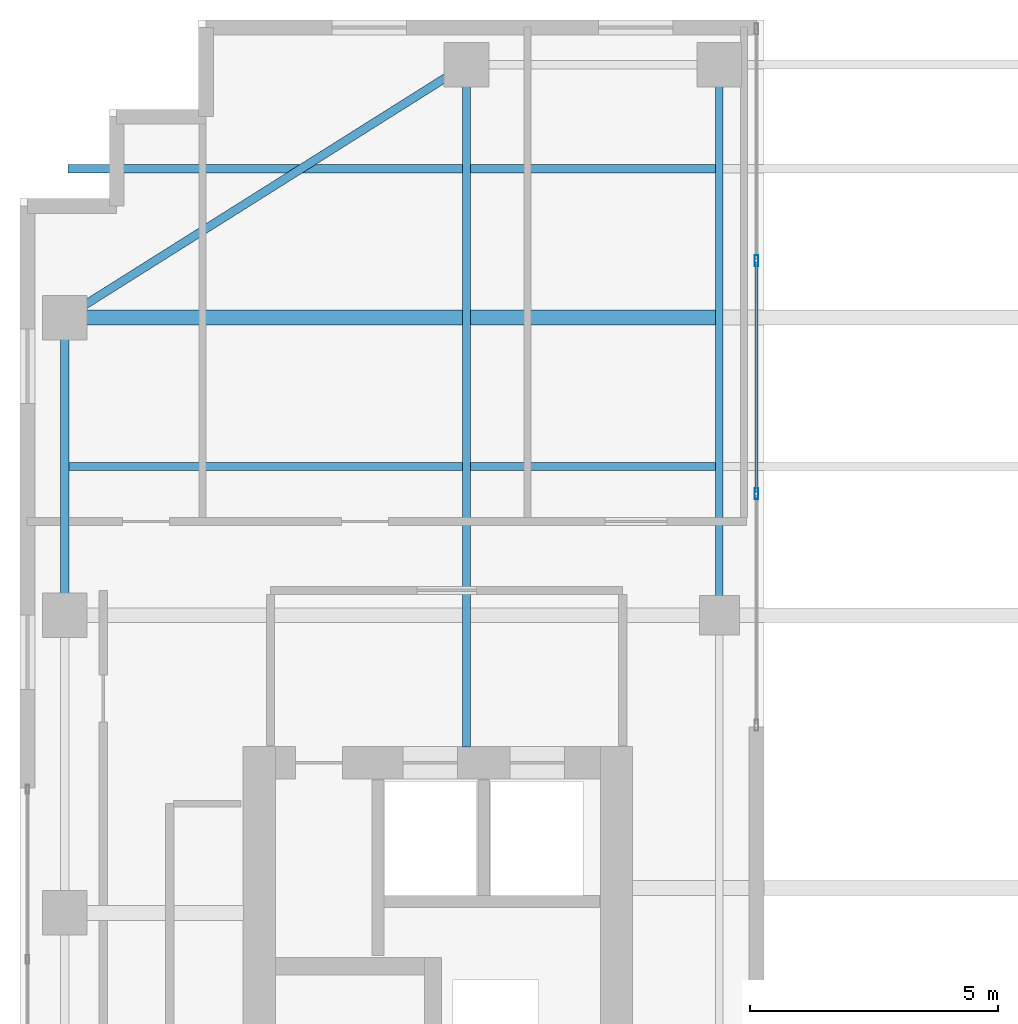
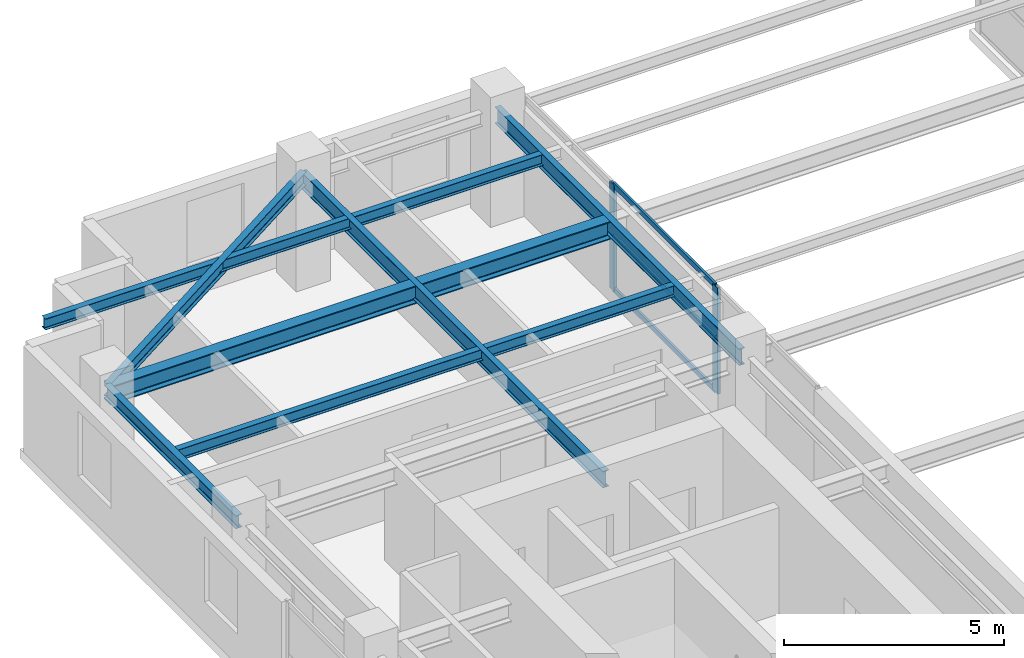
# One storey, part 13 of 21: 7 beams, 5 members, 1 element without a shape of its own.
"""IFC4 building model written with IfcOpenShell, lengths in metres."""

from ifc_helpers import new_model, si_unit, direction, frame, origin, origin_2d, place, context, subcontext, project, spatial, hollow_rectangle, i_section, extrude, source, transform, mapped, material, layer, layer_set, material_profile, profile_set, type_object, element, aggregate, save


model = new_model("IFC4")

# Units and contexts
model_context = context("Model", 3, precision=1e-05, world=origin(), true_north=direction((0.0, 1.0)))
body_context = subcontext(model_context, "Body", "Model", "MODEL_VIEW")
ifc_project = project(units=[si_unit("LENGTHUNIT", "METRE"), si_unit("AREAUNIT", "SQUARE_METRE"), si_unit("VOLUMEUNIT", "CUBIC_METRE"), si_unit("PLANEANGLEUNIT", "RADIAN"), si_unit("MASSUNIT", "GRAM", prefix="KILO")], contexts=[model_context])

# Site, building, storey
site_placement = place(None, origin())
site = spatial("IfcSite", under=ifc_project, at=site_placement, CompositionType="ELEMENT")
building_placement = place(site_placement, origin())
building = spatial("IfcBuilding", under=site, at=building_placement, Name="Khoralis Quay Care Tower", CompositionType="ELEMENT")
storey_placement = place(building_placement, frame((0.0, 0.0, 213.300048828125)))
storey = spatial("IfcBuildingStorey", under=building, at=storey_placement, Name="L56", CompositionType="ELEMENT", Elevation=213.300048828125)

# Beams
ifc_material_1 = material(Name="Steel S355", Category="steel")
ifc_material_profile_1 = material_profile(ifc_material_1, i_section(OverallWidth=0.169921875, OverallDepth=0.360107421875, WebThickness=0.008056640625, FlangeThickness=0.0126953125, FilletRadius=0.01806640625, at=origin_2d()), Name="Steel S355")
ifc_profile_set_1 = profile_set([ifc_material_profile_1], Name="Steel S355")
beam_type_1 = type_object("IfcBeamType", Name="BM-IPE360", PredefinedType="SPANDREL", material=ifc_profile_set_1)
shared_shape_1 = source(origin(), body_context, "Body", "SweptSolid", [
    extrude(i_section(OverallWidth=0.169921875, OverallDepth=0.360107421875, WebThickness=0.008056640625, FlangeThickness=0.0126953125, FilletRadius=0.01806640625, at=origin_2d()), origin(), (0.0, 0.0, 1.0), 6.0),
])
beam_1_placement = place(storey_placement, frame((3.89990234375, 30.0, 2.77001953125), z_axis=(0.0, 1.0, 0.0), x_axis=(-1.0, 0.0, 0.0)))
element("IfcBeam", 1, at=beam_1_placement, inside=storey, type_object=beam_type_1, Name="BM-TSP-L56-11", PredefinedType="SPANDREL", context=body_context, shape_type="MappedRepresentation", body=[
    mapped(shared_shape_1, transform((0.0, 0.0, 0.0), scale=1.0)),
])
shared_shape_2 = source(origin(), body_context, "Body", "SweptSolid", [
    extrude(i_section(OverallWidth=0.169921875, OverallDepth=0.360107421875, WebThickness=0.008056640625, FlangeThickness=0.0126953125, FilletRadius=0.01806640625, at=origin_2d()), origin(), (0.0, 0.0, 1.0), 9.572021484375),
])
beam_2_placement = place(storey_placement, frame((12.0, 41.10009765625, 2.77001953125), z_axis=(-0.846231136359, -0.532815975602, 0.0), x_axis=(0.532815975602, -0.846231136359, 0.0)))
element("IfcBeam", 2, at=beam_2_placement, inside=storey, type_object=beam_type_1, Name="BM-TCR-L56-19", PredefinedType="SPANDREL", context=body_context, shape_type="MappedRepresentation", body=[
    mapped(shared_shape_2, transform((0.0, 0.0, 0.0), scale=1.0)),
])
ifc_material_profile_2 = material_profile(ifc_material_1, i_section(OverallWidth=0.300048828125, OverallDepth=0.5, WebThickness=0.014404296875, FlangeThickness=0.028076171875, FilletRadius=0.027099609375, at=origin_2d()), Name="Steel S355")
ifc_profile_set_2 = profile_set([ifc_material_profile_2], Name="Steel S355")
beam_type_2 = type_object("IfcBeamType", Name="BM-HEB500", PredefinedType="BEAM", material=ifc_profile_set_2)
shared_shape_3 = source(origin(), body_context, "Body", "SweptSolid", [
    extrude(i_section(OverallWidth=0.300048828125, OverallDepth=0.5, WebThickness=0.014404296875, FlangeThickness=0.028076171875, FilletRadius=0.027099609375, at=origin_2d()), origin(), (0.0, 0.0, 1.0), 13.135009765625),
])
beam_3_placement = place(storey_placement, frame((3.89990234375, 36.0, 2.699951171875), z_axis=(1.0, 0.0, 0.0), x_axis=(0.0, 1.0, 0.0)))
element("IfcBeam", 3, at=beam_3_placement, inside=storey, type_object=beam_type_2, Name="BM-TGXW-L56-360", PredefinedType="BEAM", context=body_context, shape_type="MappedRepresentation", body=[
    mapped(shared_shape_3, transform((0.0, 0.0, 0.0), scale=1.0)),
])
ifc_material_profile_3 = material_profile(ifc_material_1, i_section(OverallWidth=0.154052734375, OverallDepth=0.458984375, WebThickness=0.009033203125, FlangeThickness=0.015380859375, FilletRadius=0.014892578125, at=origin_2d()), Name="Steel S355")
ifc_profile_set_3 = profile_set([ifc_material_profile_3], Name="Steel S355")
beam_type_3 = type_object("IfcBeamType", Name="BM-W460X68", PredefinedType="BEAM", material=ifc_profile_set_3)
shared_shape_4 = source(origin(), body_context, "Body", "SweptSolid", [
    extrude(i_section(OverallWidth=0.154052734375, OverallDepth=0.458984375, WebThickness=0.009033203125, FlangeThickness=0.015380859375, FilletRadius=0.014892578125, at=origin_2d()), origin(), (0.0, 0.0, 1.0), 11.10009765625),
])
beam_4_placement = place(storey_placement, frame((17.10009765625, 30.0, 2.720458984375), z_axis=(0.0, 1.0, 0.0), x_axis=(-1.0, 0.0, 0.0)))
element("IfcBeam", 4, at=beam_4_placement, inside=storey, type_object=beam_type_3, Name="BM-TGYN-L56-171", PredefinedType="BEAM", context=body_context, shape_type="MappedRepresentation", body=[
    mapped(shared_shape_4, transform((0.0, 0.0, 0.0), scale=1.0)),
])
shared_shape_5 = source(origin(), body_context, "Body", "SweptSolid", [
    extrude(i_section(OverallWidth=0.154052734375, OverallDepth=0.458984375, WebThickness=0.009033203125, FlangeThickness=0.015380859375, FilletRadius=0.014892578125, at=origin_2d()), origin(), (0.0, 0.0, 1.0), 13.752197265625),
])
beam_5_placement = place(storey_placement, frame((12.0, 27.347900390625, 2.720458984375), z_axis=(0.0, 1.0, 0.0), x_axis=(-1.0, 0.0, 0.0)))
element("IfcBeam", 5, at=beam_5_placement, inside=storey, type_object=beam_type_3, Name="BM-TGYN-L56-120", PredefinedType="BEAM", context=body_context, shape_type="MappedRepresentation", body=[
    mapped(shared_shape_5, transform((0.0, 0.0, 0.0), scale=1.0)),
])
ifc_material_profile_4 = material_profile(ifc_material_1, i_section(OverallWidth=0.1650390625, OverallDepth=0.31005859375, WebThickness=0.005859375, FlangeThickness=0.009765625, FilletRadius=0.011962890625, at=origin_2d()), Name="Steel S355")
ifc_profile_set_4 = profile_set([ifc_material_profile_4], Name="Steel S355")
beam_type_4 = type_object("IfcBeamType", Name="BM-W310X39", PredefinedType="JOIST", material=ifc_profile_set_4)
shared_shape_6 = source(origin(), body_context, "Body", "SweptSolid", [
    extrude(i_section(OverallWidth=0.1650390625, OverallDepth=0.31005859375, WebThickness=0.005859375, FlangeThickness=0.009765625, FilletRadius=0.011962890625, at=origin_2d()), origin(), (0.0, 0.0, 1.0), 13.06396484375),
])
for number, where, z_axis, x_axis, name in (
    (6, (3.970947265625, 33.0, 2.794921875), (1.0, 0.0, 0.0), (0.0, 1.0, 0.0), "BM-TJS-L56-24"),
    (7, (3.970947265625, 39.0, 2.794921875), (1.0, 0.0, 0.0), (0.0, 1.0, 0.0), "BM-TJS-L56-27"),
):
    element("IfcBeam", number, at=place(storey_placement, frame(where, z_axis=z_axis, x_axis=x_axis)), inside=storey, type_object=beam_type_4, Name=name, PredefinedType="JOIST", context=body_context, shape_type="MappedRepresentation", body=[
        mapped(shared_shape_6, transform((0.0, 0.0, 0.0), scale=1.0)),
    ])

# Curtain wall, members
ifc_material_2 = material(Name="Pale anodised aluminium", Category="aluminium")
ifc_layer = layer(ifc_material_2, 0.18994140625)
ifc_layer_set = layer_set([ifc_layer], Name="Pale anodised aluminium")
curtain_wall_type = type_object("IfcCurtainWallType", Name="CW-SYS-PORTAL", PredefinedType="NOTDEFINED", material=ifc_layer_set)
curtain_wall_placement = place(storey_placement, origin())
curtain_wall = element("IfcCurtainWall", 8, at=curtain_wall_placement, inside=storey, type_object=curtain_wall_type, Name="L56 Unitised Curtain Wall CW-VP-L56-P1-N", PredefinedType="NOTDEFINED")
ifc_material_profile_5 = material_profile(ifc_material_2, hollow_rectangle(XDim=0.06005859375, YDim=0.139892578125, WallThickness=0.00390625, at=origin_2d()), Name="Pale anodised aluminium")
ifc_profile_set_5 = profile_set([ifc_material_profile_5], Name="Pale anodised aluminium")
member_type_1 = type_object("IfcMemberType", Name="CW-TRN-140", PredefinedType="USERDEFINED", material=ifc_profile_set_5)
shared_shape_7 = source(origin(), body_context, "Body", "SweptSolid", [
    extrude(hollow_rectangle(XDim=0.06005859375, YDim=0.139892578125, WallThickness=0.00390625, at=origin_2d()), origin(), (0.0, 0.0, 1.0), 4.64013671875),
])
member_1_placement = place(storey_placement, frame((17.85009765625, 32.47998046875, 0.030029296875), z_axis=(0.0, 1.0, 0.0), x_axis=(-1.0, 0.0, 0.0)))
member_1 = element("IfcMember", 9, at=member_1_placement, type_object=member_type_1, Name="CW4 transom 2.1", ObjectType="TRANSOM", PredefinedType="USERDEFINED", context=body_context, shape_type="MappedRepresentation", body=[
    mapped(shared_shape_7, transform((0.0, 0.0, 0.0), scale=1.0)),
])
member_2_placement = place(storey_placement, frame((17.85009765625, 32.47998046875, 1.474853515625), z_axis=(0.0, 1.0, 0.0), x_axis=(-1.0, 0.0, 0.0)))
member_2 = element("IfcMember", 10, at=member_2_placement, type_object=member_type_1, Name="CW4 transom 2.2", ObjectType="TRANSOM", PredefinedType="USERDEFINED", context=body_context, shape_type="MappedRepresentation", body=[
    mapped(shared_shape_7, transform((0.0, 0.0, 0.0), scale=1.0)),
])
member_3_placement = place(storey_placement, frame((17.85009765625, 32.47998046875, 2.919921875), z_axis=(0.0, 1.0, 0.0), x_axis=(-1.0, 0.0, 0.0)))
member_3 = element("IfcMember", 11, at=member_3_placement, type_object=member_type_1, Name="CW4 transom 2.3", ObjectType="TRANSOM", PredefinedType="USERDEFINED", context=body_context, shape_type="MappedRepresentation", body=[
    mapped(shared_shape_7, transform((0.0, 0.0, 0.0), scale=1.0)),
])
ifc_material_profile_6 = material_profile(ifc_material_2, hollow_rectangle(XDim=0.074951171875, YDim=0.219970703125, WallThickness=0.00390625, at=origin_2d()), Name="Pale anodised aluminium")
ifc_profile_set_6 = profile_set([ifc_material_profile_6], Name="Pale anodised aluminium")
member_type_2 = type_object("IfcMemberType", Name="CW-MUL-220", PredefinedType="MULLION", material=ifc_profile_set_6)
shared_shape_8 = source(origin(), body_context, "Body", "SweptSolid", [
    extrude(hollow_rectangle(XDim=0.074951171875, YDim=0.219970703125, WallThickness=0.00390625, at=origin_2d()), origin(), (0.0, 0.0, 1.0), 2.949951171875),
])
member_4_placement = place(storey_placement, frame((17.85009765625, 32.449951171875, 0.0), z_axis=(0.0, 0.0, 1.0), x_axis=(-1.0, 0.0, 0.0)))
member_4 = element("IfcMember", 12, at=member_4_placement, type_object=member_type_2, Name="CW4 mullion 2", PredefinedType="MULLION", context=body_context, shape_type="MappedRepresentation", body=[
    mapped(shared_shape_8, transform((0.0, 0.0, 0.0), scale=1.0)),
])
member_5_placement = place(storey_placement, frame((17.85009765625, 37.14990234375, 0.0), z_axis=(0.0, 0.0, 1.0), x_axis=(-1.0, 0.0, 0.0)))
member_5 = element("IfcMember", 13, at=member_5_placement, type_object=member_type_2, Name="CW4 mullion 3", PredefinedType="MULLION", context=body_context, shape_type="MappedRepresentation", body=[
    mapped(shared_shape_8, transform((0.0, 0.0, 0.0), scale=1.0)),
])
aggregate(curtain_wall, [member_4, member_5, member_1, member_2, member_3])

save(model, "model.ifc")
